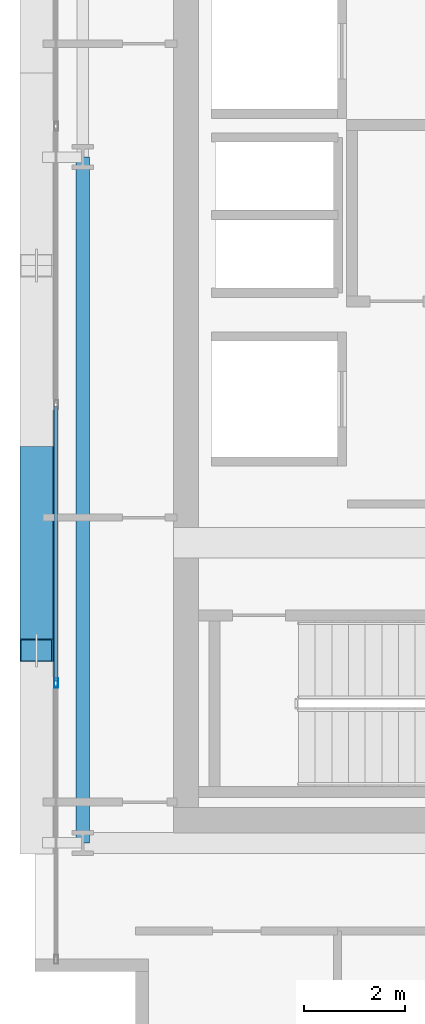
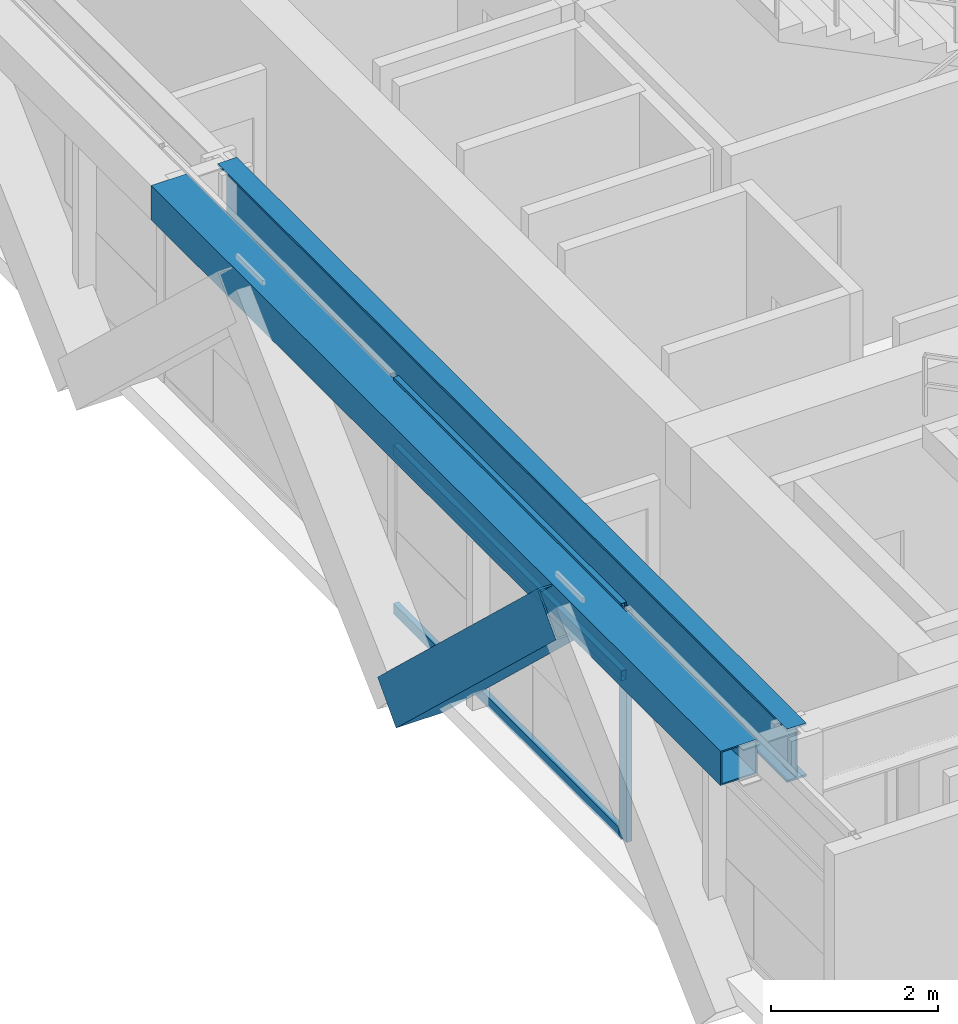
# One storey, part 4 of 30: 5 members, 2 beams, 1 element without a shape of its own.
"""IFC4 building model written with IfcOpenShell, lengths in metres."""

from ifc_helpers import new_model, si_unit, direction, frame, origin, origin_2d, place, context, subcontext, project, spatial, hollow_rectangle, i_section, extrude, source, transform, mapped, material, layer, layer_set, material_profile, profile_set, type_object, element, aggregate, save


model = new_model("IFC4")

# Units and contexts
model_context = context("Model", 3, precision=1e-05, world=origin(), true_north=direction((0.0, 1.0)))
body_context = subcontext(model_context, "Body", "Model", "MODEL_VIEW")
ifc_project = project(units=[si_unit("LENGTHUNIT", "METRE"), si_unit("AREAUNIT", "SQUARE_METRE"), si_unit("VOLUMEUNIT", "CUBIC_METRE"), si_unit("PLANEANGLEUNIT", "RADIAN"), si_unit("MASSUNIT", "GRAM", prefix="KILO")], contexts=[model_context])

# Site, building, storey
site_placement = place(None, origin())
site = spatial("IfcSite", under=ifc_project, at=site_placement, CompositionType="ELEMENT")
building_placement = place(site_placement, origin())
building = spatial("IfcBuilding", under=site, at=building_placement, Name="Ocotamira Hotel", CompositionType="ELEMENT")
storey_placement = place(building_placement, frame((0.0, 0.0, 195.60009765625)))
storey = spatial("IfcBuildingStorey", under=building, at=storey_placement, Name="L49", CompositionType="ELEMENT", Elevation=195.60009765625)

# Beams
ifc_material_1 = material(Name="Steel ASTM A992 Grade 50", Category="steel")
ifc_material_profile_1 = material_profile(ifc_material_1, i_section(OverallWidth=0.26611328125, OverallDepth=0.779052734375, WebThickness=0.0166015625, FlangeThickness=0.030029296875, FilletRadius=0.01806640625, at=origin_2d()), Name="W30X148")
ifc_profile_set_1 = profile_set([ifc_material_profile_1], Name="Steel ASTM A992 Grade 50")
beam_type_1 = type_object("IfcBeamType", Name="BM-GIRD-W30X148", PredefinedType="BEAM", material=ifc_profile_set_1)
shared_shape_1 = source(origin(), body_context, "Body", "SweptSolid", [
    extrude(i_section(OverallWidth=0.26611328125, OverallDepth=0.779052734375, WebThickness=0.0166015625, FlangeThickness=0.030029296875, FilletRadius=0.01806640625, at=origin_2d()), origin(), (0.0, 0.0, 1.0), 13.599853515625),
])
beam_1_placement = place(storey_placement, frame((8.949951171875, 14.550048828125, 2.98046875), z_axis=(0.0, 1.0, 0.0), x_axis=(-1.0, 0.0, 0.0)))
element("IfcBeam", 1, at=beam_1_placement, inside=storey, type_object=beam_type_1, Name="L49 Beam X8.95 Y14.55-28.15", PredefinedType="BEAM", context=body_context, shape_type="MappedRepresentation", body=[
    mapped(shared_shape_1, transform((0.0, 0.0, 0.0), scale=1.0)),
])
ifc_material_2 = material(Name="Steel ASTM A500 Grade C", Category="steel")
ifc_material_profile_2 = material_profile(ifc_material_2, hollow_rectangle(XDim=0.5, YDim=0.5, WallThickness=0.02001953125, at=origin_2d()), Name="HSS500X500X20")
ifc_profile_set_2 = profile_set([ifc_material_profile_2], Name="Steel ASTM A500 Grade C")
beam_type_2 = type_object("IfcBeamType", Name="BM-SPAN-HSS500", PredefinedType="USERDEFINED", material=ifc_profile_set_2)
shared_shape_2 = source(origin(), body_context, "Body", "SweptSolid", [
    extrude(hollow_rectangle(XDim=0.5, YDim=0.5, WallThickness=0.02001953125, at=origin_2d()), origin(), (0.0, 0.0, 1.0), 13.599853515625),
])
beam_2_placement = place(storey_placement, frame((8.14990234375, 14.550048828125, 3.119873046875), z_axis=(0.0, 1.0, 0.0), x_axis=(-1.0, 0.0, 0.0)))
element("IfcBeam", 2, at=beam_2_placement, inside=storey, type_object=beam_type_2, Name="L49 Edge Spandrel W Y14.55-28.15", ObjectType="SPANDREL", PredefinedType="USERDEFINED", context=body_context, shape_type="MappedRepresentation", body=[
    mapped(shared_shape_2, transform((0.0, 0.0, 0.0), scale=1.0)),
])

# Member
ifc_material_3 = material(Name="Pale-metal coated steel ASTM A913 Grade 65", Category="steel")
ifc_material_profile_3 = material_profile(ifc_material_3, hollow_rectangle(XDim=0.64990234375, YDim=0.64990234375, WallThickness=0.02197265625, at=origin_2d()), Name="BOX650X650X22")
ifc_profile_set_3 = profile_set([ifc_material_profile_3], Name="Pale-metal coated steel ASTM A913 Grade 65")
member_type_1 = type_object("IfcMemberType", Name="MEM-EXO-BOX650", PredefinedType="BRACE", material=ifc_profile_set_3)
shared_shape_3 = source(origin(), body_context, "Body", "SweptSolid", [
    extrude(hollow_rectangle(XDim=0.64990234375, YDim=0.64990234375, WallThickness=0.02197265625, at=origin_2d()), origin(), (0.0, 0.0, 1.0), 5.24658203125),
])
member_1_placement = place(storey_placement, frame((8.030029296875, 22.183349609375, -0.47998046875), z_axis=(0.0, -0.72746596067, 0.686143772154), x_axis=(1.0, 0.0, 0.0)))
element("IfcMember", 3, at=member_1_placement, inside=storey, type_object=member_type_1, Name="L49 Exoskeleton Diagrid W0.2", PredefinedType="BRACE", context=body_context, shape_type="MappedRepresentation", body=[
    mapped(shared_shape_3, transform((0.0, 0.0, 0.0), scale=1.0)),
])

# Curtain wall, members
ifc_material_4 = material(Name="Anodised pale-metal aluminium and solar glass", Category="aluminium")
ifc_layer = layer(ifc_material_4, 0.199951171875)
ifc_layer_set = layer_set([ifc_layer], Name="Anodised pale-metal aluminium and solar glass")
curtain_wall_type = type_object("IfcCurtainWallType", Name="CW-SYS4-Z3", PredefinedType="NOTDEFINED", material=ifc_layer_set)
curtain_wall_placement = place(storey_placement, origin())
curtain_wall = element("IfcCurtainWall", 4, at=curtain_wall_placement, inside=storey, type_object=curtain_wall_type, Name="L49 Curtain Wall CW-4 CW-L49-W", PredefinedType="NOTDEFINED")
ifc_material_5 = material(Name="Anodised pale-metal aluminium 6063-T6", Category="aluminium")
ifc_material_profile_4 = material_profile(ifc_material_5, hollow_rectangle(XDim=0.074951171875, YDim=0.14990234375, WallThickness=0.006103515625, at=origin_2d()), Name="HSS150X75X6")
ifc_profile_set_4 = profile_set([ifc_material_profile_4], Name="Anodised pale-metal aluminium 6063-T6")
member_type_2 = type_object("IfcMemberType", Name="CWT-150X75", PredefinedType="USERDEFINED", material=ifc_profile_set_4)
shared_shape_4 = source(origin(), body_context, "Body", "SweptSolid", [
    extrude(hollow_rectangle(XDim=0.074951171875, YDim=0.14990234375, WallThickness=0.006103515625, at=origin_2d()), origin(), (0.0, 0.0, 1.0), 5.43994140625),
])
member_2_placement = place(storey_placement, frame((8.419921875, 17.760009765625, 0.037353515625), z_axis=(0.0, 1.0, 0.0), x_axis=(-1.0, 0.0, 0.0)))
member_2 = element("IfcMember", 5, at=member_2_placement, type_object=member_type_2, Name="CW-4 transom 2.1", ObjectType="TRANSOM", PredefinedType="USERDEFINED", context=body_context, shape_type="MappedRepresentation", body=[
    mapped(shared_shape_4, transform((0.0, 0.0, 0.0), scale=1.0)),
])
member_3_placement = place(storey_placement, frame((8.419921875, 17.760009765625, 2.349853515625), z_axis=(0.0, 1.0, 0.0), x_axis=(-1.0, 0.0, 0.0)))
member_3 = element("IfcMember", 6, at=member_3_placement, type_object=member_type_2, Name="CW-4 transom 2.2", ObjectType="TRANSOM", PredefinedType="USERDEFINED", context=body_context, shape_type="MappedRepresentation", body=[
    mapped(shared_shape_4, transform((0.0, 0.0, 0.0), scale=1.0)),
])
member_4_placement = place(storey_placement, frame((8.419921875, 17.760009765625, 3.33251953125), z_axis=(0.0, 1.0, 0.0), x_axis=(-1.0, 0.0, 0.0)))
member_4 = element("IfcMember", 7, at=member_4_placement, type_object=member_type_2, Name="CW-4 transom 2.3", ObjectType="TRANSOM", PredefinedType="USERDEFINED", context=body_context, shape_type="MappedRepresentation", body=[
    mapped(shared_shape_4, transform((0.0, 0.0, 0.0), scale=1.0)),
])
ifc_material_profile_5 = material_profile(ifc_material_5, hollow_rectangle(XDim=0.080078125, YDim=0.179931640625, WallThickness=0.006103515625, at=origin_2d()), Name="HSS180X80X6")
ifc_profile_set_5 = profile_set([ifc_material_profile_5], Name="Anodised pale-metal aluminium 6063-T6")
member_type_3 = type_object("IfcMemberType", Name="CWM-180X75", PredefinedType="MULLION", material=ifc_profile_set_5)
shared_shape_5 = source(origin(), body_context, "Body", "SweptSolid", [
    extrude(hollow_rectangle(XDim=0.080078125, YDim=0.179931640625, WallThickness=0.006103515625, at=origin_2d()), origin(), (0.0, 0.0, 1.0), 3.369873046875),
])
member_5_placement = place(storey_placement, frame((8.419921875, 17.719970703125, 0.0), z_axis=(0.0, 0.0, 1.0), x_axis=(-1.0, 0.0, 0.0)))
member_5 = element("IfcMember", 8, at=member_5_placement, type_object=member_type_3, Name="CW-4 mullion 2", PredefinedType="MULLION", context=body_context, shape_type="MappedRepresentation", body=[
    mapped(shared_shape_5, transform((0.0, 0.0, 0.0), scale=1.0)),
])
aggregate(curtain_wall, [member_5, member_2, member_3, member_4])

save(model, "model.ifc")
